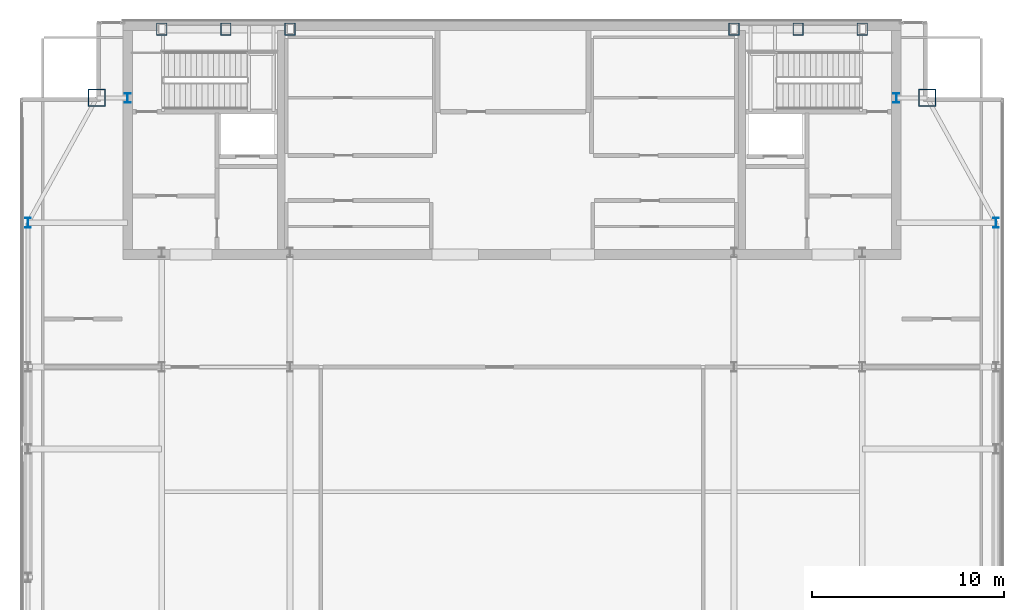
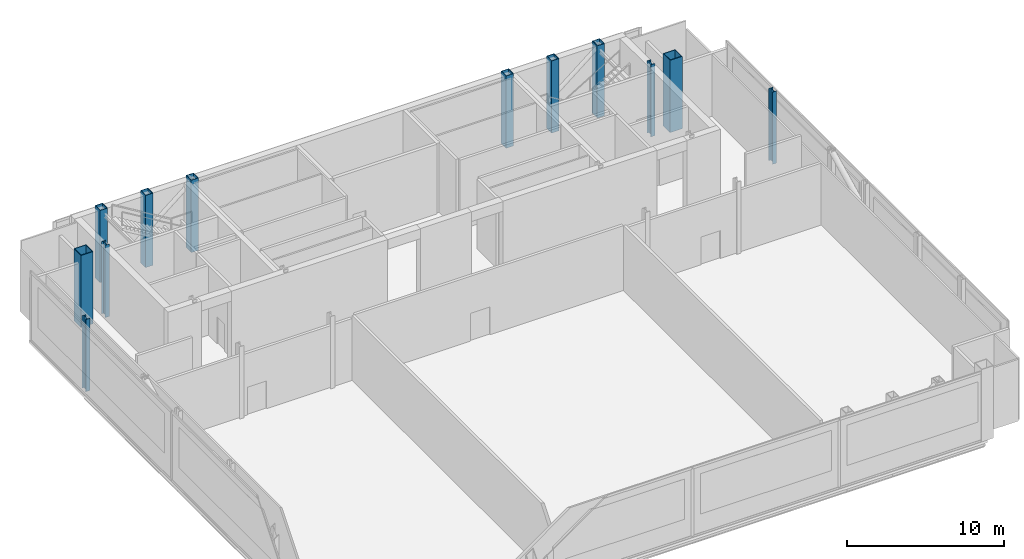
# One storey, part 3 of 22: 12 columns.
"""IFC4 building model written with IfcOpenShell, lengths in metres."""

from ifc_helpers import new_model, si_unit, direction, frame, origin, origin_2d, place, context, subcontext, project, spatial, hollow_rectangle, i_section, extrude, material, material_profile, profile_set, type_object, element, save


model = new_model("IFC4")

# Units and contexts
model_context = context("Model", 3, precision=1e-05, world=origin(), true_north=direction((0.0, 1.0)))
body_context = subcontext(model_context, "Body", "Model", "MODEL_VIEW")
ifc_project = project(units=[si_unit("LENGTHUNIT", "METRE"), si_unit("AREAUNIT", "SQUARE_METRE"), si_unit("VOLUMEUNIT", "CUBIC_METRE"), si_unit("PLANEANGLEUNIT", "RADIAN"), si_unit("MASSUNIT", "GRAM", prefix="KILO")], contexts=[model_context])

# Site, building, storey
site_placement = place(None, origin())
site = spatial("IfcSite", under=ifc_project, at=site_placement, CompositionType="ELEMENT")
building_placement = place(site_placement, origin())
building = spatial("IfcBuilding", under=site, at=building_placement, Name="Khoronbel Lancet Exchange", CompositionType="ELEMENT")
storey_placement = place(building_placement, frame((0.0, 0.0, 373.0)))
storey = spatial("IfcBuildingStorey", under=building, at=storey_placement, Name="L95", CompositionType="ELEMENT", Elevation=373.0)

# Columns
ifc_material_1 = material(Name="Steel S355", Category="steel")
ifc_material_profile_1 = material_profile(ifc_material_1, i_section(OverallWidth=0.300048828125, OverallDepth=0.5, WebThickness=0.014404296875, FlangeThickness=0.028076171875, at=origin_2d()), Name="HEB 500")
ifc_profile_set_1 = profile_set([ifc_material_profile_1], Name="Steel S355")
column_type_1 = type_object("IfcColumnType", Name="COL-CRC1", PredefinedType="COLUMN", material=ifc_profile_set_1)
for number, where, z_axis, x_axis, name in (
    (1, (11.27001953125, 43.199951171875, 0.0), (0.0, 0.0, 1.0), (1.0, 0.0, 0.0), "CROWN FRAME column WC-4 L95"),
    (2, (61.6298828125, 43.199951171875, 0.0), (0.0, 0.0, 1.0), (1.0, 0.0, 0.0), "CROWN FRAME column EC-4 L95"),
    (3, (16.449951171875, 49.699951171875, 0.0), (0.0, 0.0, 1.0), (1.0, 0.0, 0.0), "Core-flank plumb transfer column CFW L95"),
    (4, (56.449951171875, 49.699951171875, 0.0), (0.0, 0.0, 1.0), (1.0, 0.0, 0.0), "Core-flank plumb transfer column CFE L95"),
):
    element("IfcColumn", number, at=place(storey_placement, frame(where, z_axis=z_axis, x_axis=x_axis)), inside=storey, type_object=column_type_1, Name=name, PredefinedType="COLUMN", context=body_context, shape_type="SweptSolid", body=[
        extrude(i_section(OverallWidth=0.300048828125, OverallDepth=0.5, WebThickness=0.014404296875, FlangeThickness=0.028076171875, at=origin_2d()), origin(), (0.0, 0.0, 1.0), 5.60009765625),
    ])
ifc_material_2 = material(Name="Steel S460", Category="steel")
ifc_material_profile_2 = material_profile(ifc_material_2, hollow_rectangle(XDim=0.550048828125, YDim=0.64990234375, WallThickness=0.0400390625, at=origin_2d()), Name="BOX 650x550x40")
ifc_profile_set_2 = profile_set([ifc_material_profile_2], Name="Steel S460")
column_type_2 = type_object("IfcColumnType", Name="COL-EC4", PredefinedType="COLUMN", material=ifc_profile_set_2)
for number, where, z_axis, x_axis, name in (
    (5, (18.22509765625, 53.280029296875, 0.0), (0.0, 0.0, 1.0), (1.0, 0.0, 0.0), "CROWN FRAME column NC-W1 L95"),
    (6, (21.5625, 53.280029296875, 0.0), (0.0, 0.0, 1.0), (1.0, 0.0, 0.0), "CROWN FRAME column NC-WM L95"),
    (7, (24.89990234375, 53.280029296875, 0.0), (0.0, 0.0, 1.0), (1.0, 0.0, 0.0), "CROWN FRAME column NC-W2 L95"),
    (8, (48.0, 53.280029296875, 0.0), (0.0, 0.0, 1.0), (1.0, 0.0, 0.0), "CROWN FRAME column NC-E1 L95"),
    (9, (51.33740234375, 53.280029296875, 0.0), (0.0, 0.0, 1.0), (1.0, 0.0, 0.0), "CROWN FRAME column NC-EM L95"),
    (10, (54.675048828125, 53.280029296875, 0.0), (0.0, 0.0, 1.0), (1.0, 0.0, 0.0), "CROWN FRAME column NC-E2 L95"),
):
    element("IfcColumn", number, at=place(storey_placement, frame(where, z_axis=z_axis, x_axis=x_axis)), inside=storey, type_object=column_type_2, Name=name, PredefinedType="COLUMN", context=body_context, shape_type="SweptSolid", body=[
        extrude(hollow_rectangle(XDim=0.550048828125, YDim=0.64990234375, WallThickness=0.0400390625, at=origin_2d()), origin(), (0.0, 0.0, 1.0), 5.60009765625),
    ])
ifc_material_profile_3 = material_profile(ifc_material_2, hollow_rectangle(XDim=0.89990234375, YDim=0.89990234375, WallThickness=0.050048828125, at=origin_2d()), Name="BOX 900x900x50")
ifc_profile_set_3 = profile_set([ifc_material_profile_3], Name="Steel S460")
column_type_3 = type_object("IfcColumnType", Name="COL-MC7", PredefinedType="COLUMN", material=ifc_profile_set_3)
for number, where, z_axis, x_axis, name in (
    (11, (58.050048828125, 49.699951171875, 0.0), (0.0, 0.0, 1.0), (1.0, 0.0, 0.0), "CROWN FRAME column MC-NE L95"),
    (12, (14.85009765625, 49.699951171875, 0.0), (0.0, 0.0, 1.0), (1.0, 0.0, 0.0), "CROWN FRAME column MC-NW L95"),
):
    element("IfcColumn", number, at=place(storey_placement, frame(where, z_axis=z_axis, x_axis=x_axis)), inside=storey, type_object=column_type_3, Name=name, PredefinedType="COLUMN", context=body_context, shape_type="SweptSolid", body=[
        extrude(hollow_rectangle(XDim=0.89990234375, YDim=0.89990234375, WallThickness=0.050048828125, at=origin_2d()), origin(), (0.0, 0.0, 1.0), 5.60009765625),
    ])

save(model, "model.ifc")
